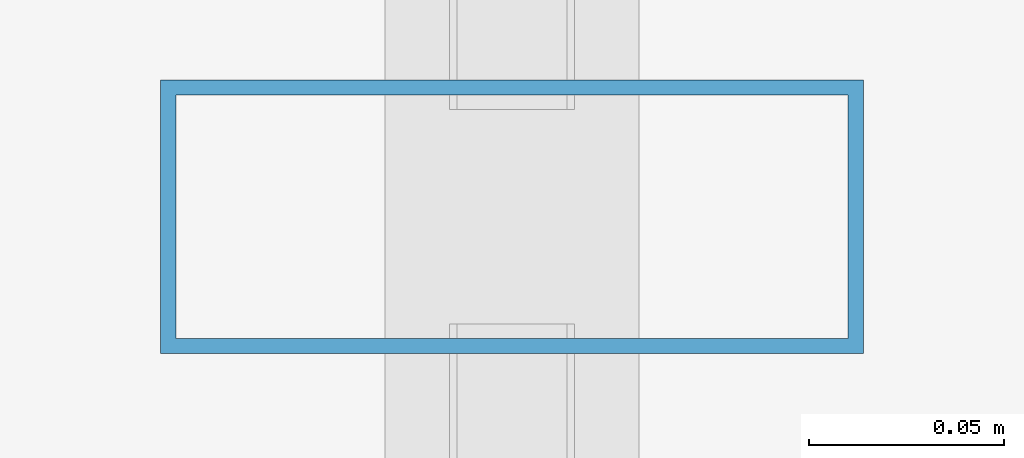
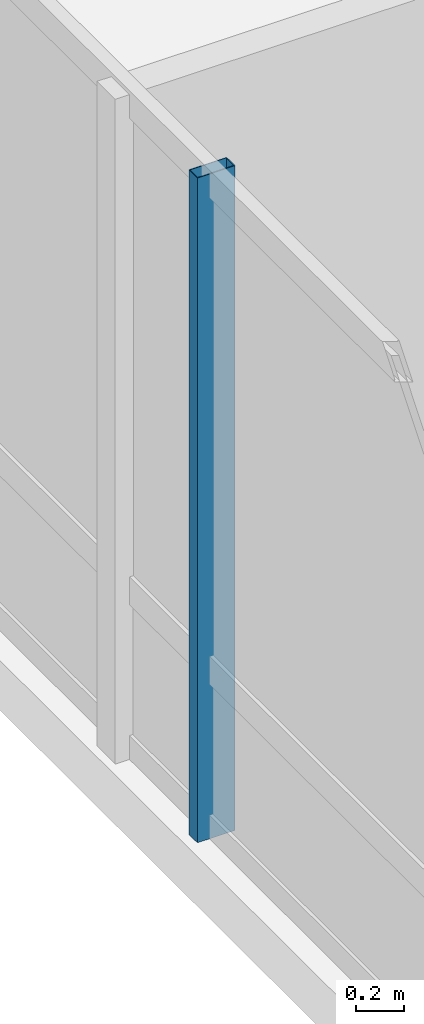
# One storey, part 13 of 31: 1 member, 1 element without a shape of its own.
"""IFC4 building model written with IfcOpenShell, lengths in metres."""

from ifc_helpers import new_model, si_unit, direction, frame, origin, origin_2d, place, context, subcontext, project, spatial, hollow_rectangle, extrude, material, layer, layer_set, material_profile, profile_set, type_object, element, aggregate, save


model = new_model("IFC4")

# Units and contexts
model_context = context("Model", 3, precision=1e-05, world=origin(), true_north=direction((0.0, 1.0)))
body_context = subcontext(model_context, "Body", "Model", "MODEL_VIEW")
ifc_project = project(units=[si_unit("LENGTHUNIT", "METRE"), si_unit("AREAUNIT", "SQUARE_METRE"), si_unit("VOLUMEUNIT", "CUBIC_METRE"), si_unit("PLANEANGLEUNIT", "RADIAN"), si_unit("MASSUNIT", "GRAM", prefix="KILO")], contexts=[model_context])

# Site, building, storey
site_placement = place(None, origin())
site = spatial("IfcSite", under=ifc_project, at=site_placement, CompositionType="ELEMENT")
building_placement = place(site_placement, origin())
building = spatial("IfcBuilding", under=site, at=building_placement, Name="Hatsunagi Terrace Concourse", CompositionType="ELEMENT")
storey_placement = place(building_placement, frame((0.0, 0.0, 122.85009765625)))
storey = spatial("IfcBuildingStorey", under=building, at=storey_placement, Name="L32", CompositionType="ELEMENT", Elevation=122.85009765625)

# Curtain wall, member
ifc_material_1 = material(Name="Anodised Aluminium Alloy 6063-T5", Category="aluminium")
ifc_layer = layer(ifc_material_1, 0.199951171875)
ifc_layer_set = layer_set([ifc_layer], Name="OfficeZone1_CW03")
curtain_wall_type = type_object("IfcCurtainWallType", Name="OfficeZone1_CW03", PredefinedType="NOTDEFINED", material=ifc_layer_set)
curtain_wall_placement = place(storey_placement, origin())
curtain_wall = element("IfcCurtainWall", 1, at=curtain_wall_placement, inside=storey, type_object=curtain_wall_type, Name="Unitised Curtain Wall CW-03 CW-L32-09", PredefinedType="NOTDEFINED")
ifc_material_2 = material(Name="Anodised Aluminium Alloy 6063-T5", Category="aluminium")
ifc_material_profile = material_profile(ifc_material_2, hollow_rectangle(XDim=0.070068359375, YDim=0.179931640625, WallThickness=0.00390625, at=origin_2d()), Name="ALU-MUL-180x70x4")
ifc_profile_set = profile_set([ifc_material_profile], Name="Anodised Aluminium Alloy 6063-T5")
member_type = type_object("IfcMemberType", Name="CurtainWallMullion_180x70", PredefinedType="MULLION", material=ifc_profile_set)
member_placement = place(storey_placement, frame((9.739990234375, 36.89990234375, 0.0), z_axis=(0.0, 0.0, 1.0), x_axis=(0.0, 1.0, 0.0)))
member = element("IfcMember", 2, at=member_placement, type_object=member_type, Name="Curtain Wall Mullion MUL-02", PredefinedType="MULLION", context=body_context, shape_type="SweptSolid", body=[
    extrude(hollow_rectangle(XDim=0.070068359375, YDim=0.179931640625, WallThickness=0.00390625, at=origin_2d()), origin(), (0.0, 0.0, 1.0), 3.349853515625),
])
aggregate(curtain_wall, [member])

save(model, "model.ifc")
